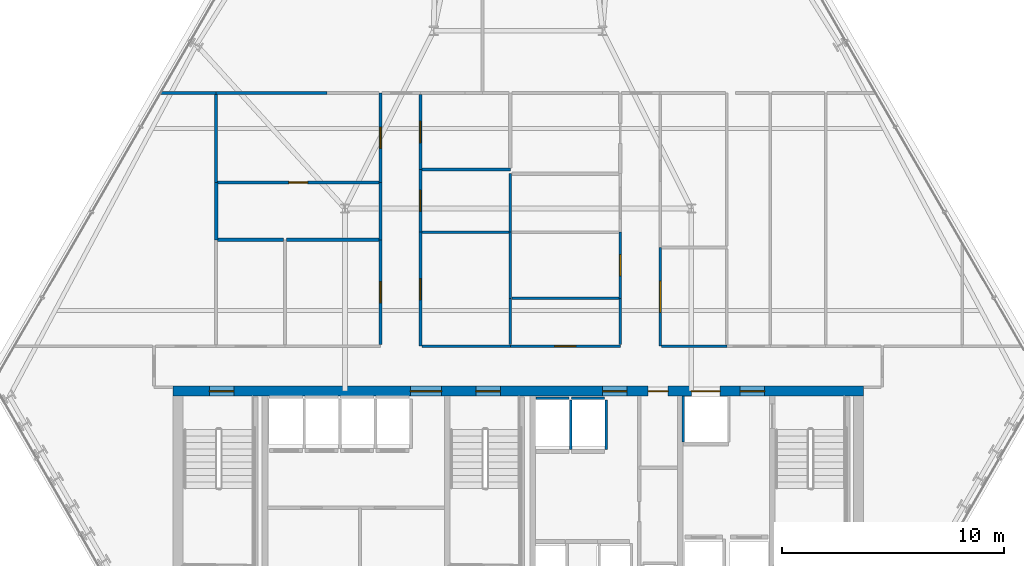
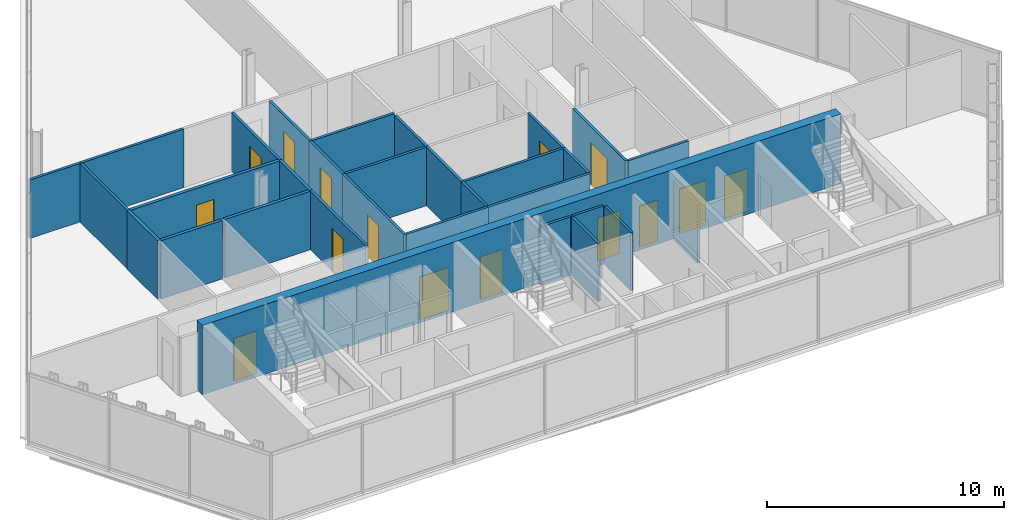
# One storey, part 26 of 31: 31 walls, 16 doors, 16 openings.
"""IFC4 building model written with IfcOpenShell, lengths in metres."""

from ifc_helpers import new_model, si_unit, direction, frame, frame_2d, origin, place, context, subcontext, project, spatial, rectangle, extrude, material, layer, layer_set, type_object, element, fill, save


model = new_model("IFC4")

# Units and contexts
model_context = context("Model", 3, precision=1e-05, world=origin(), true_north=direction((0.0, 1.0)))
body_context = subcontext(model_context, "Body", "Model", "MODEL_VIEW")
ifc_project = project(units=[si_unit("LENGTHUNIT", "METRE"), si_unit("AREAUNIT", "SQUARE_METRE"), si_unit("VOLUMEUNIT", "CUBIC_METRE"), si_unit("PLANEANGLEUNIT", "RADIAN"), si_unit("MASSUNIT", "GRAM", prefix="KILO")], contexts=[model_context])

# Site, building, storey
site_placement = place(None, origin())
site = spatial("IfcSite", under=ifc_project, at=site_placement, CompositionType="ELEMENT")
building_placement = place(site_placement, origin())
building = spatial("IfcBuilding", under=site, at=building_placement, Name="Ndaravel Arena Tower", CompositionType="ELEMENT")
storey_placement = place(building_placement, frame((0.0, 0.0, 138.39990234375)))
storey = spatial("IfcBuildingStorey", under=building, at=storey_placement, Name="L32", CompositionType="ELEMENT", Elevation=138.39990234375)

# Wall, openings, doors
ifc_material_1 = material(Name="Concrete C60/75", Category="concrete")
ifc_layer_1 = layer(ifc_material_1, 0.449951171875)
ifc_layer_set_1 = layer_set([ifc_layer_1], Name="Concrete C60/75")
wall_type_1 = type_object("IfcWallType", Name="WALL-CORE-450", PredefinedType="SOLIDWALL", material=ifc_layer_set_1)
wall_1_placement = place(storey_placement, frame((26.449951171875, 14.97509765625, 0.0), z_axis=(0.0, 0.0, 1.0), x_axis=(1.0, 0.0, 0.0)))
wall_1 = element("IfcWall", 1, at=wall_1_placement, inside=storey, type_object=wall_type_1, Name="L32 Core North Shear Wall", PredefinedType="SOLIDWALL", context=body_context, shape_type="SweptSolid", body=[
    extrude(rectangle(XDim=31.10009765625, YDim=0.449951171875, at=frame_2d((15.550048828125, 0.0))), origin(), (0.0, 0.0, 1.0), 3.580078125),
])
opening_1_placement = place(wall_1_placement, frame((1.64990234375, 0.0, 0.0)))
opening_1 = element("IfcOpeningElement", 2, at=opening_1_placement, cuts=wall_1, Name="Opening FD-01", PredefinedType="OPENING", context=body_context, shape_type="SweptSolid", body=[
    extrude(rectangle(XDim=1.10009765625, YDim=2.199951171875, at=frame_2d((0.550048828125, 1.10009765625))), frame((0.0, 0.22509765625, 0.0), z_axis=(0.0, -1.0, 0.0), x_axis=(1.0, 0.0, 0.0)), (0.0, 0.0, 1.0), 0.449951171875),
])
opening_2_placement = place(wall_1_placement, frame((13.64990234375, 0.0, 0.0)))
opening_2 = element("IfcOpeningElement", 3, at=opening_2_placement, cuts=wall_1, Name="Opening FD-01", PredefinedType="OPENING", context=body_context, shape_type="SweptSolid", body=[
    extrude(rectangle(XDim=1.10009765625, YDim=2.199951171875, at=frame_2d((0.550048828125, 1.10009765625))), frame((0.0, 0.22509765625, 0.0), z_axis=(0.0, -1.0, 0.0), x_axis=(1.0, 0.0, 0.0)), (0.0, 0.0, 1.0), 0.449951171875),
])
opening_3_placement = place(wall_1_placement, frame((25.550048828125, 0.0, 0.0)))
opening_3 = element("IfcOpeningElement", 4, at=opening_3_placement, cuts=wall_1, Name="Opening FD-01", PredefinedType="OPENING", context=body_context, shape_type="SweptSolid", body=[
    extrude(rectangle(XDim=1.10009765625, YDim=2.199951171875, at=frame_2d((0.550048828125, 1.10009765625))), frame((0.0, 0.22509765625, 0.0), z_axis=(0.0, -1.0, 0.0), x_axis=(1.0, 0.0, 0.0)), (0.0, 0.0, 1.0), 0.449951171875),
])
opening_4_placement = place(wall_1_placement, frame((10.699951171875, 0.0, 0.0)))
opening_4 = element("IfcOpeningElement", 5, at=opening_4_placement, cuts=wall_1, Name="Opening ID-02", PredefinedType="OPENING", context=body_context, shape_type="SweptSolid", body=[
    extrude(rectangle(XDim=1.39990234375, YDim=2.199951171875, at=frame_2d((0.699951171875, 1.10009765625))), frame((0.0, 0.22509765625, 0.0), z_axis=(0.0, -1.0, 0.0), x_axis=(1.0, 0.0, 0.0)), (0.0, 0.0, 1.0), 0.449951171875),
])
opening_5_placement = place(wall_1_placement, frame((19.35009765625, 0.0, 0.0)))
opening_5 = element("IfcOpeningElement", 6, at=opening_5_placement, cuts=wall_1, Name="Opening FD-01", PredefinedType="OPENING", context=body_context, shape_type="SweptSolid", body=[
    extrude(rectangle(XDim=1.10009765625, YDim=2.199951171875, at=frame_2d((0.550048828125, 1.10009765625))), frame((0.0, 0.22509765625, 0.0), z_axis=(0.0, -1.0, 0.0), x_axis=(1.0, 0.0, 0.0)), (0.0, 0.0, 1.0), 0.449951171875),
])
opening_6_placement = place(wall_1_placement, frame((21.39990234375, 0.0, 0.0)))
opening_6 = element("IfcOpeningElement", 7, at=opening_6_placement, cuts=wall_1, Name="Opening RD-01", PredefinedType="OPENING", context=body_context, shape_type="SweptSolid", body=[
    extrude(rectangle(XDim=0.89990234375, YDim=2.10009765625, at=frame_2d((0.449951171875, 1.050048828125))), frame((0.0, 0.22509765625, 0.0), z_axis=(0.0, -1.0, 0.0), x_axis=(1.0, 0.0, 0.0)), (0.0, 0.0, 1.0), 0.449951171875),
])
opening_7_placement = place(wall_1_placement, frame((23.35009765625, 0.0, 0.0)))
opening_7 = element("IfcOpeningElement", 8, at=opening_7_placement, cuts=wall_1, Name="Opening LD-02", PredefinedType="OPENING", context=body_context, shape_type="SweptSolid", body=[
    extrude(rectangle(XDim=1.300048828125, YDim=2.300048828125, at=frame_2d((0.64990234375, 1.14990234375))), frame((0.0, 0.22509765625, 0.0), z_axis=(0.0, -1.0, 0.0), x_axis=(1.0, 0.0, 0.0)), (0.0, 0.0, 1.0), 0.449951171875),
])
ifc_material_2 = material(Name="Steel S355", Category="steel")
door_type_1 = type_object("IfcDoorType", Name="DT-01-STAIR-1100", OperationType="SINGLE_SWING_LEFT", PredefinedType="DOOR", material=ifc_material_2)
door_1_placement = place(opening_1_placement, origin())
door_1 = element("IfcDoor", 9, at=door_1_placement, inside=storey, type_object=door_type_1, Name="L32 Exit Stair ST-1 Door", OperationType="SINGLE_SWING_LEFT", OverallHeight=2.199951171875, OverallWidth=1.10009765625, PredefinedType="DOOR", context=body_context, shape_type="SweptSolid", body=[
    extrude(rectangle(XDim=1.10009765625, YDim=2.199951171875, at=frame_2d((0.550048828125, 1.10009765625))), frame((0.0, 0.02490234375, 0.0), z_axis=(0.0, -1.0, 0.0), x_axis=(1.0, 0.0, 0.0)), (0.0, 0.0, 1.0), 0.050048828125),
])
fill(opening_1, door_1)
door_2_placement = place(opening_2_placement, origin())
door_2 = element("IfcDoor", 10, at=door_2_placement, inside=storey, type_object=door_type_1, Name="L32 Exit Stair ST-2 Door", OperationType="SINGLE_SWING_RIGHT", OverallHeight=2.199951171875, OverallWidth=1.10009765625, PredefinedType="DOOR", context=body_context, shape_type="SweptSolid", body=[
    extrude(rectangle(XDim=1.10009765625, YDim=2.199951171875, at=frame_2d((0.550048828125, 1.10009765625))), frame((0.0, 0.02490234375, 0.0), z_axis=(0.0, -1.0, 0.0), x_axis=(1.0, 0.0, 0.0)), (0.0, 0.0, 1.0), 0.050048828125),
])
fill(opening_2, door_2)
door_3_placement = place(opening_3_placement, origin())
door_3 = element("IfcDoor", 11, at=door_3_placement, inside=storey, type_object=door_type_1, Name="L32 Firefighting Lift Lobby Door", OperationType="SINGLE_SWING_RIGHT", OverallHeight=2.199951171875, OverallWidth=1.10009765625, PredefinedType="DOOR", context=body_context, shape_type="SweptSolid", body=[
    extrude(rectangle(XDim=1.10009765625, YDim=2.199951171875, at=frame_2d((0.550048828125, 1.10009765625))), frame((0.0, 0.02490234375, 0.0), z_axis=(0.0, -1.0, 0.0), x_axis=(1.0, 0.0, 0.0)), (0.0, 0.0, 1.0), 0.050048828125),
])
fill(opening_3, door_3)
door_4_placement = place(opening_5_placement, origin())
door_4 = element("IfcDoor", 12, at=door_4_placement, inside=storey, type_object=door_type_1, Name="L32 Express Lift Lobby Entry Door", OperationType="SINGLE_SWING_LEFT", OverallHeight=2.199951171875, OverallWidth=1.10009765625, PredefinedType="DOOR", context=body_context, shape_type="SweptSolid", body=[
    extrude(rectangle(XDim=1.10009765625, YDim=2.199951171875, at=frame_2d((0.550048828125, 1.10009765625))), frame((0.0, 0.02490234375, 0.0), z_axis=(0.0, -1.0, 0.0), x_axis=(1.0, 0.0, 0.0)), (0.0, 0.0, 1.0), 0.050048828125),
])
fill(opening_5, door_4)
ifc_material_3 = material(Name="Timber", Category="wood")
door_type_2 = type_object("IfcDoorType", Name="DT-04-SUITE-1400", OperationType="DOUBLE_DOOR_SINGLE_SWING", PredefinedType="DOOR", material=ifc_material_3)
door_5_placement = place(opening_4_placement, origin())
door_5 = element("IfcDoor", 13, at=door_5_placement, inside=storey, type_object=door_type_2, Name="L32 West Lift Lobby Entry Door", OperationType="DOUBLE_DOOR_SINGLE_SWING", OverallHeight=2.199951171875, OverallWidth=1.39990234375, PredefinedType="DOOR", context=body_context, shape_type="SweptSolid", body=[
    extrude(rectangle(XDim=1.39990234375, YDim=2.199951171875, at=frame_2d((0.699951171875, 1.10009765625))), frame((0.0, 0.02490234375, 0.0), z_axis=(0.0, -1.0, 0.0), x_axis=(1.0, 0.0, 0.0)), (0.0, 0.0, 1.0), 0.050048828125),
])
fill(opening_4, door_5)
ifc_material_4 = material(Name="Steel S355", Category="steel")
door_type_3 = type_object("IfcDoorType", Name="DT-07-SVLIFT-1300", OperationType="DOUBLE_DOOR_SLIDING", PredefinedType="DOOR", material=ifc_material_4)
door_6_placement = place(opening_7_placement, origin())
door_6 = element("IfcDoor", 14, at=door_6_placement, inside=storey, type_object=door_type_3, Name="L32 Lift SVL-1 Sliding Landing Door", OperationType="DOUBLE_DOOR_SLIDING", OverallHeight=2.300048828125, OverallWidth=1.300048828125, PredefinedType="DOOR", context=body_context, shape_type="SweptSolid", body=[
    extrude(rectangle(XDim=1.300048828125, YDim=2.300048828125, at=frame_2d((0.64990234375, 1.14990234375))), frame((0.0, 0.02490234375, 0.0), z_axis=(0.0, -1.0, 0.0), x_axis=(1.0, 0.0, 0.0)), (0.0, 0.0, 1.0), 0.050048828125),
])
fill(opening_7, door_6)
ifc_material_5 = material(Name="Steel S355", Category="steel")
door_type_4 = type_object("IfcDoorType", Name="DT-08-RISER-900", OperationType="SINGLE_SWING_LEFT", PredefinedType="DOOR", material=ifc_material_5)
door_7_placement = place(opening_6_placement, origin())
door_7 = element("IfcDoor", 15, at=door_7_placement, inside=storey, type_object=door_type_4, Name="L32 Core Service Riser North Door", OperationType="SINGLE_SWING_LEFT", OverallHeight=2.10009765625, OverallWidth=0.89990234375, PredefinedType="DOOR", context=body_context, shape_type="SweptSolid", body=[
    extrude(rectangle(XDim=0.89990234375, YDim=2.10009765625, at=frame_2d((0.449951171875, 1.050048828125))), frame((0.0, 0.02490234375, 0.0), z_axis=(0.0, -1.0, 0.0), x_axis=(1.0, 0.0, 0.0)), (0.0, 0.0, 1.0), 0.050048828125),
])
fill(opening_6, door_7)

# Wall, opening, door
ifc_material_6 = material(Name="Gypsum", Category="gypsum")
ifc_layer_2 = layer(ifc_material_6, 0.125)
ifc_layer_set_2 = layer_set([ifc_layer_2], Name="Gypsum")
wall_type_2 = type_object("IfcWallType", Name="WALL-PART-125", PredefinedType="PARTITIONING", material=ifc_layer_set_2)
wall_2_placement = place(storey_placement, frame((35.800048828125, 17.06494140625, 0.0), z_axis=(0.0, 0.0, 1.0), x_axis=(0.0, 1.0, 0.0)))
wall_2 = element("IfcWall", 16, at=wall_2_placement, inside=storey, type_object=wall_type_2, Name="L32 Interior Partition 008", PredefinedType="PARTITIONING", context=body_context, shape_type="SweptSolid", body=[
    extrude(rectangle(XDim=4.72314453125, YDim=0.125, at=frame_2d((2.361572265625, 0.0))), origin(), (0.0, 0.0, 1.0), 3.010498046875),
])
opening_8_placement = place(wall_2_placement, frame((1.886474609375, 0.0, 0.0)))
opening_8 = element("IfcOpeningElement", 17, at=opening_8_placement, cuts=wall_2, Name="Opening ID-01", PredefinedType="OPENING", context=body_context, shape_type="SweptSolid", body=[
    extrude(rectangle(XDim=0.949951171875, YDim=2.199951171875, at=frame_2d((0.47509765625, 1.10009765625))), frame((0.0, 0.0625, 0.0), z_axis=(0.0, -1.0, 0.0), x_axis=(1.0, 0.0, 0.0)), (0.0, 0.0, 1.0), 0.125),
])
ifc_material_7 = material(Name="Timber", Category="wood")
door_type_5 = type_object("IfcDoorType", Name="DT-03-OFFICE-950", OperationType="SINGLE_SWING_LEFT", PredefinedType="DOOR", material=ifc_material_7)
door_8_placement = place(opening_8_placement, origin())
door_8 = element("IfcDoor", 18, at=door_8_placement, inside=storey, type_object=door_type_5, Name="L32 Project Seminar Room 3 Door", OperationType="SINGLE_SWING_RIGHT", OverallHeight=2.199951171875, OverallWidth=0.949951171875, PredefinedType="DOOR", context=body_context, shape_type="SweptSolid", body=[
    extrude(rectangle(XDim=0.949951171875, YDim=2.199951171875, at=frame_2d((0.47509765625, 1.10009765625))), frame((0.0, 0.02490234375, 0.0), z_axis=(0.0, -1.0, 0.0), x_axis=(1.0, 0.0, 0.0)), (0.0, 0.0, 1.0), 0.050048828125),
])
fill(opening_8, door_8)

wall_3_placement = place(storey_placement, frame((35.800048828125, 24.36669921875, 0.0), z_axis=(0.0, 0.0, 1.0), x_axis=(0.0, 1.0, 0.0)))
wall_3 = element("IfcWall", 19, at=wall_3_placement, inside=storey, type_object=wall_type_2, Name="L32 Interior Partition 010", PredefinedType="PARTITIONING", context=body_context, shape_type="SweptSolid", body=[
    extrude(rectangle(XDim=4.033203125, YDim=0.125, at=frame_2d((2.0166015625, 0.0))), origin(), (0.0, 0.0, 1.0), 3.010498046875),
])
opening_9_placement = place(wall_3_placement, frame((1.54150390625, 0.0, 0.0)))
opening_9 = element("IfcOpeningElement", 20, at=opening_9_placement, cuts=wall_3, Name="Opening ID-01", PredefinedType="OPENING", context=body_context, shape_type="SweptSolid", body=[
    extrude(rectangle(XDim=0.949951171875, YDim=2.199951171875, at=frame_2d((0.47509765625, 1.10009765625))), frame((0.0, 0.0625, 0.0), z_axis=(0.0, -1.0, 0.0), x_axis=(1.0, 0.0, 0.0)), (0.0, 0.0, 1.0), 0.125),
])
door_9_placement = place(opening_9_placement, origin())
door_9 = element("IfcDoor", 21, at=door_9_placement, inside=storey, type_object=door_type_5, Name="L32 Media Cinema Room 7 Door", OperationType="SINGLE_SWING_LEFT", OverallHeight=2.199951171875, OverallWidth=0.949951171875, PredefinedType="DOOR", context=body_context, shape_type="SweptSolid", body=[
    extrude(rectangle(XDim=0.949951171875, YDim=2.199951171875, at=frame_2d((0.47509765625, 1.10009765625))), frame((0.0, 0.02490234375, 0.0), z_axis=(0.0, -1.0, 0.0), x_axis=(1.0, 0.0, 0.0)), (0.0, 0.0, 1.0), 0.050048828125),
])
fill(opening_9, door_9)

wall_4_placement = place(storey_placement, frame((37.60009765625, 28.3349609375, 0.0), z_axis=(0.0, 0.0, 1.0), x_axis=(0.0, -1.0, 0.0)))
wall_4 = element("IfcWall", 22, at=wall_4_placement, inside=storey, type_object=wall_type_2, Name="L32 Interior Partition 012", PredefinedType="PARTITIONING", context=body_context, shape_type="SweptSolid", body=[
    extrude(rectangle(XDim=3.383544921875, YDim=0.125, at=frame_2d((1.69189453125, 0.0))), origin(), (0.0, 0.0, 1.0), 3.010498046875),
])
opening_10_placement = place(wall_4_placement, frame((1.216796875, 0.0, 0.0)))
opening_10 = element("IfcOpeningElement", 23, at=opening_10_placement, cuts=wall_4, Name="Opening ID-01", PredefinedType="OPENING", context=body_context, shape_type="SweptSolid", body=[
    extrude(rectangle(XDim=0.949951171875, YDim=2.199951171875, at=frame_2d((0.47509765625, 1.10009765625))), frame((0.0, 0.0625, 0.0), z_axis=(0.0, -1.0, 0.0), x_axis=(1.0, 0.0, 0.0)), (0.0, 0.0, 1.0), 0.125),
])
door_10_placement = place(opening_10_placement, origin())
door_10 = element("IfcDoor", 24, at=door_10_placement, inside=storey, type_object=door_type_5, Name="L32 Training Classroom 8 Door", OperationType="SINGLE_SWING_LEFT", OverallHeight=2.199951171875, OverallWidth=0.949951171875, PredefinedType="DOOR", context=body_context, shape_type="SweptSolid", body=[
    extrude(rectangle(XDim=0.949951171875, YDim=2.199951171875, at=frame_2d((0.47509765625, 1.10009765625))), frame((0.0, 0.02490234375, 0.0), z_axis=(0.0, -1.0, 0.0), x_axis=(1.0, 0.0, 0.0)), (0.0, 0.0, 1.0), 0.050048828125),
])
fill(opening_10, door_10)

wall_5_placement = place(storey_placement, frame((37.60009765625, 24.951416015625, 0.0), z_axis=(0.0, 0.0, 1.0), x_axis=(0.0, -1.0, 0.0)))
wall_5 = element("IfcWall", 25, at=wall_5_placement, inside=storey, type_object=wall_type_2, Name="L32 Interior Partition 013", PredefinedType="PARTITIONING", context=body_context, shape_type="SweptSolid", body=[
    extrude(rectangle(XDim=2.821533203125, YDim=0.125, at=frame_2d((1.41064453125, 0.0))), origin(), (0.0, 0.0, 1.0), 3.010498046875),
])
opening_11_placement = place(wall_5_placement, frame((0.935791015625, 0.0, 0.0)))
opening_11 = element("IfcOpeningElement", 26, at=opening_11_placement, cuts=wall_5, Name="Opening ID-01", PredefinedType="OPENING", context=body_context, shape_type="SweptSolid", body=[
    extrude(rectangle(XDim=0.949951171875, YDim=2.199951171875, at=frame_2d((0.47509765625, 1.10009765625))), frame((0.0, 0.0625, 0.0), z_axis=(0.0, -1.0, 0.0), x_axis=(1.0, 0.0, 0.0)), (0.0, 0.0, 1.0), 0.125),
])
door_11_placement = place(opening_11_placement, origin())
door_11 = element("IfcDoor", 27, at=door_11_placement, inside=storey, type_object=door_type_5, Name="L32 Wellness Fitness Gym 6 Door", OperationType="SINGLE_SWING_LEFT", OverallHeight=2.199951171875, OverallWidth=0.949951171875, PredefinedType="DOOR", context=body_context, shape_type="SweptSolid", body=[
    extrude(rectangle(XDim=0.949951171875, YDim=2.199951171875, at=frame_2d((0.47509765625, 1.10009765625))), frame((0.0, 0.02490234375, 0.0), z_axis=(0.0, -1.0, 0.0), x_axis=(1.0, 0.0, 0.0)), (0.0, 0.0, 1.0), 0.050048828125),
])
fill(opening_11, door_11)

wall_6_placement = place(storey_placement, frame((37.60009765625, 22.1298828125, 0.0), z_axis=(0.0, 0.0, 1.0), x_axis=(0.0, -1.0, 0.0)))
wall_6 = element("IfcWall", 28, at=wall_6_placement, inside=storey, type_object=wall_type_2, Name="L32 Interior Partition 014", PredefinedType="PARTITIONING", context=body_context, shape_type="SweptSolid", body=[
    extrude(rectangle(XDim=5.1298828125, YDim=0.125, at=frame_2d((2.56494140625, 0.0))), origin(), (0.0, 0.0, 1.0), 3.010498046875),
])
opening_12_placement = place(wall_6_placement, frame((2.090087890625, 0.0, 0.0)))
opening_12 = element("IfcOpeningElement", 29, at=opening_12_placement, cuts=wall_6, Name="Opening ID-01", PredefinedType="OPENING", context=body_context, shape_type="SweptSolid", body=[
    extrude(rectangle(XDim=0.949951171875, YDim=2.199951171875, at=frame_2d((0.47509765625, 1.10009765625))), frame((0.0, 0.0625, 0.0), z_axis=(0.0, -1.0, 0.0), x_axis=(1.0, 0.0, 0.0)), (0.0, 0.0, 1.0), 0.125),
])
door_12_placement = place(opening_12_placement, origin())
door_12 = element("IfcDoor", 30, at=door_12_placement, inside=storey, type_object=door_type_5, Name="L32 Wellness Fitness Gym 2 Door", OperationType="SINGLE_SWING_LEFT", OverallHeight=2.199951171875, OverallWidth=0.949951171875, PredefinedType="DOOR", context=body_context, shape_type="SweptSolid", body=[
    extrude(rectangle(XDim=0.949951171875, YDim=2.199951171875, at=frame_2d((0.47509765625, 1.10009765625))), frame((0.0, 0.02490234375, 0.0), z_axis=(0.0, -1.0, 0.0), x_axis=(1.0, 0.0, 0.0)), (0.0, 0.0, 1.0), 0.050048828125),
])
fill(opening_12, door_12)

# Wall
wall_7_placement = place(storey_placement, frame((37.6650390625, 17.0, 0.0), z_axis=(0.0, 0.0, 1.0), x_axis=(1.0, 0.0, 0.0)))
element("IfcWall", 31, at=wall_7_placement, inside=storey, type_object=wall_type_2, Name="L32 Interior Partition 015", PredefinedType="PARTITIONING", context=body_context, shape_type="SweptSolid", body=[
    extrude(rectangle(XDim=3.98486328125, YDim=0.125, at=frame_2d((1.992431640625, 0.0))), origin(), (0.0, 0.0, 1.0), 3.010498046875),
])

# Wall, opening, door
wall_8_placement = place(storey_placement, frame((41.64990234375, 17.0, 0.0), z_axis=(0.0, 0.0, 1.0), x_axis=(1.0, 0.0, 0.0)))
wall_8 = element("IfcWall", 32, at=wall_8_placement, inside=storey, type_object=wall_type_2, Name="L32 Interior Partition 016", PredefinedType="PARTITIONING", context=body_context, shape_type="SweptSolid", body=[
    extrude(rectangle(XDim=4.9501953125, YDim=0.125, at=frame_2d((2.47509765625, 0.0))), origin(), (0.0, 0.0, 1.0), 3.010498046875),
])
opening_13_placement = place(wall_8_placement, frame((2.0, 0.0, 0.0)))
opening_13 = element("IfcOpeningElement", 33, at=opening_13_placement, cuts=wall_8, Name="Opening ID-01", PredefinedType="OPENING", context=body_context, shape_type="SweptSolid", body=[
    extrude(rectangle(XDim=0.949951171875, YDim=2.199951171875, at=frame_2d((0.47509765625, 1.10009765625))), frame((0.0, 0.0625, 0.0), z_axis=(0.0, -1.0, 0.0), x_axis=(1.0, 0.0, 0.0)), (0.0, 0.0, 1.0), 0.125),
])
door_13_placement = place(opening_13_placement, origin())
door_13 = element("IfcDoor", 34, at=door_13_placement, inside=storey, type_object=door_type_5, Name="L32 Design Bookshop Boutique Door", OperationType="SINGLE_SWING_LEFT", OverallHeight=2.199951171875, OverallWidth=0.949951171875, PredefinedType="DOOR", context=body_context, shape_type="SweptSolid", body=[
    extrude(rectangle(XDim=0.949951171875, YDim=2.199951171875, at=frame_2d((0.47509765625, 1.10009765625))), frame((0.0, 0.02490234375, 0.0), z_axis=(0.0, -1.0, 0.0), x_axis=(1.0, 0.0, 0.0)), (0.0, 0.0, 1.0), 0.050048828125),
])
fill(opening_13, door_13)

# Wall
wall_9_placement = place(storey_placement, frame((46.60009765625, 17.06494140625, 0.0), z_axis=(0.0, 0.0, 1.0), x_axis=(0.0, 1.0, 0.0)))
element("IfcWall", 35, at=wall_9_placement, inside=storey, type_object=wall_type_2, Name="L32 Interior Partition 017", PredefinedType="PARTITIONING", context=body_context, shape_type="SweptSolid", body=[
    extrude(rectangle(XDim=2.089599609375, YDim=0.125, at=frame_2d((1.044921875, 0.0))), origin(), (0.0, 0.0, 1.0), 3.010498046875),
])

# Wall, opening, door
wall_10_placement = place(storey_placement, frame((46.60009765625, 19.154541015625, 0.0), z_axis=(0.0, 0.0, 1.0), x_axis=(0.0, 1.0, 0.0)))
wall_10 = element("IfcWall", 36, at=wall_10_placement, inside=storey, type_object=wall_type_2, Name="L32 Interior Partition 018", PredefinedType="PARTITIONING", context=body_context, shape_type="SweptSolid", body=[
    extrude(rectangle(XDim=2.975341796875, YDim=0.125, at=frame_2d((1.48779296875, 0.0))), origin(), (0.0, 0.0, 1.0), 3.010498046875),
])
opening_14_placement = place(wall_10_placement, frame((1.0126953125, 0.0, 0.0)))
opening_14 = element("IfcOpeningElement", 37, at=opening_14_placement, cuts=wall_10, Name="Opening ID-01", PredefinedType="OPENING", context=body_context, shape_type="SweptSolid", body=[
    extrude(rectangle(XDim=0.949951171875, YDim=2.199951171875, at=frame_2d((0.47509765625, 1.10009765625))), frame((0.0, 0.0625, 0.0), z_axis=(0.0, -1.0, 0.0), x_axis=(1.0, 0.0, 0.0)), (0.0, 0.0, 1.0), 0.125),
])
door_14_placement = place(opening_14_placement, origin())
door_14 = element("IfcDoor", 38, at=door_14_placement, inside=storey, type_object=door_type_5, Name="L32 Media Cinema Room 3 Door", OperationType="SINGLE_SWING_RIGHT", OverallHeight=2.199951171875, OverallWidth=0.949951171875, PredefinedType="DOOR", context=body_context, shape_type="SweptSolid", body=[
    extrude(rectangle(XDim=0.949951171875, YDim=2.199951171875, at=frame_2d((0.47509765625, 1.10009765625))), frame((0.0, 0.02490234375, 0.0), z_axis=(0.0, -1.0, 0.0), x_axis=(1.0, 0.0, 0.0)), (0.0, 0.0, 1.0), 0.050048828125),
])
fill(opening_14, door_14)

wall_11_placement = place(storey_placement, frame((48.39990234375, 21.446044921875, 0.0), z_axis=(0.0, 0.0, 1.0), x_axis=(0.0, -1.0, 0.0)))
wall_11 = element("IfcWall", 39, at=wall_11_placement, inside=storey, type_object=wall_type_2, Name="L32 Interior Partition 023", PredefinedType="PARTITIONING", context=body_context, shape_type="SweptSolid", body=[
    extrude(rectangle(XDim=4.446044921875, YDim=0.125, at=frame_2d((2.22314453125, 0.0))), origin(), (0.0, 0.0, 1.0), 3.010498046875),
])
opening_15_placement = place(wall_11_placement, frame((1.52294921875, 0.0, 0.0)))
opening_15 = element("IfcOpeningElement", 40, at=opening_15_placement, cuts=wall_11, Name="Opening ID-02", PredefinedType="OPENING", context=body_context, shape_type="SweptSolid", body=[
    extrude(rectangle(XDim=1.39990234375, YDim=2.199951171875, at=frame_2d((0.699951171875, 1.10009765625))), frame((0.0, 0.0625, 0.0), z_axis=(0.0, -1.0, 0.0), x_axis=(1.0, 0.0, 0.0)), (0.0, 0.0, 1.0), 0.125),
])
door_15_placement = place(opening_15_placement, origin())
door_15 = element("IfcDoor", 41, at=door_15_placement, inside=storey, type_object=door_type_2, Name="L32 Collaborative Lounge Door", OperationType="SINGLE_SWING_RIGHT", OverallHeight=2.199951171875, OverallWidth=1.39990234375, PredefinedType="DOOR", context=body_context, shape_type="SweptSolid", body=[
    extrude(rectangle(XDim=1.39990234375, YDim=2.199951171875, at=frame_2d((0.699951171875, 1.10009765625))), frame((0.0, 0.02490234375, 0.0), z_axis=(0.0, -1.0, 0.0), x_axis=(1.0, 0.0, 0.0)), (0.0, 0.0, 1.0), 0.050048828125),
])
fill(opening_15, door_15)

# Walls
wall_12_placement = place(storey_placement, frame((48.465087890625, 17.0, 0.0), z_axis=(0.0, 0.0, 1.0), x_axis=(1.0, 0.0, 0.0)))
element("IfcWall", 42, at=wall_12_placement, inside=storey, type_object=wall_type_2, Name="L32 Interior Partition 024", PredefinedType="PARTITIONING", context=body_context, shape_type="SweptSolid", body=[
    extrude(rectangle(XDim=2.934814453125, YDim=0.125, at=frame_2d((1.46728515625, 0.0))), origin(), (0.0, 0.0, 1.0), 3.010498046875),
])
wall_13_placement = place(storey_placement, frame((41.64990234375, 17.06494140625, 0.0), z_axis=(0.0, 0.0, 1.0), x_axis=(0.0, 1.0, 0.0)))
element("IfcWall", 43, at=wall_13_placement, inside=storey, type_object=wall_type_2, Name="L32 Interior Partition 032", PredefinedType="PARTITIONING", context=body_context, shape_type="SweptSolid", body=[
    extrude(rectangle(XDim=2.089599609375, YDim=0.125, at=frame_2d((1.044921875, 0.0))), origin(), (0.0, 0.0, 1.0), 3.010498046875),
])
wall_14_placement = place(storey_placement, frame((41.715087890625, 19.154541015625, 0.0), z_axis=(0.0, 0.0, 1.0), x_axis=(1.0, 0.0, 0.0)))
element("IfcWall", 44, at=wall_14_placement, inside=storey, type_object=wall_type_2, Name="L32 Interior Partition 033", PredefinedType="PARTITIONING", context=body_context, shape_type="SweptSolid", body=[
    extrude(rectangle(XDim=4.81982421875, YDim=0.125, at=frame_2d((2.409912109375, 0.0))), origin(), (0.0, 0.0, 1.0), 3.010498046875),
])
wall_15_placement = place(storey_placement, frame((41.64990234375, 22.1298828125, 0.0), z_axis=(0.0, 0.0, 1.0), x_axis=(0.0, -1.0, 0.0)))
element("IfcWall", 45, at=wall_15_placement, inside=storey, type_object=wall_type_2, Name="L32 Interior Partition 040", PredefinedType="PARTITIONING", context=body_context, shape_type="SweptSolid", body=[
    extrude(rectangle(XDim=2.975341796875, YDim=0.125, at=frame_2d((1.48779296875, 0.0))), origin(), (0.0, 0.0, 1.0), 3.010498046875),
])
wall_16_placement = place(storey_placement, frame((37.6650390625, 22.1298828125, 0.0), z_axis=(0.0, 0.0, 1.0), x_axis=(1.0, 0.0, 0.0)))
element("IfcWall", 46, at=wall_16_placement, inside=storey, type_object=wall_type_2, Name="L32 Interior Partition 041", PredefinedType="PARTITIONING", context=body_context, shape_type="SweptSolid", body=[
    extrude(rectangle(XDim=3.919921875, YDim=0.125, at=frame_2d((1.9599609375, 0.0))), origin(), (0.0, 0.0, 1.0), 3.010498046875),
])
wall_17_placement = place(storey_placement, frame((25.898681640625, 28.39990234375, 0.0), z_axis=(0.0, 0.0, 1.0), x_axis=(1.0, 0.0, 0.0)))
element("IfcWall", 47, at=wall_17_placement, inside=storey, type_object=wall_type_2, Name="L32 Interior Partition 043", PredefinedType="PARTITIONING", context=body_context, shape_type="SweptSolid", body=[
    extrude(rectangle(XDim=2.501220703125, YDim=0.125, at=frame_2d((1.25048828125, 0.0))), origin(), (0.0, 0.0, 1.0), 3.010498046875),
])
wall_18_placement = place(storey_placement, frame((28.39990234375, 28.3349609375, 0.0), z_axis=(0.0, 0.0, 1.0), x_axis=(0.0, -1.0, 0.0)))
element("IfcWall", 48, at=wall_18_placement, inside=storey, type_object=wall_type_2, Name="L32 Interior Partition 044", PredefinedType="PARTITIONING", context=body_context, shape_type="SweptSolid", body=[
    extrude(rectangle(XDim=3.96826171875, YDim=0.125, at=frame_2d((1.984130859375, 0.0))), origin(), (0.0, 0.0, 1.0), 3.010498046875),
])
wall_19_placement = place(storey_placement, frame((41.64990234375, 22.1298828125, 0.0), z_axis=(0.0, 0.0, 1.0), x_axis=(0.0, 1.0, 0.0)))
element("IfcWall", 49, at=wall_19_placement, inside=storey, type_object=wall_type_2, Name="L32 Interior Partition 055", PredefinedType="PARTITIONING", context=body_context, shape_type="SweptSolid", body=[
    extrude(rectangle(XDim=2.633544921875, YDim=0.125, at=frame_2d((1.31689453125, 0.0))), origin(), (0.0, 0.0, 1.0), 3.010498046875),
])
wall_20_placement = place(storey_placement, frame((37.6650390625, 24.951416015625, 0.0), z_axis=(0.0, 0.0, 1.0), x_axis=(1.0, 0.0, 0.0)))
element("IfcWall", 50, at=wall_20_placement, inside=storey, type_object=wall_type_2, Name="L32 Interior Partition 057", PredefinedType="PARTITIONING", context=body_context, shape_type="SweptSolid", body=[
    extrude(rectangle(XDim=3.98486328125, YDim=0.125, at=frame_2d((1.992431640625, 0.0))), origin(), (0.0, 0.0, 1.0), 3.010498046875),
])
wall_21_placement = place(storey_placement, frame((28.39990234375, 28.39990234375, 0.0), z_axis=(0.0, 0.0, 1.0), x_axis=(1.0, 0.0, 0.0)))
element("IfcWall", 51, at=wall_21_placement, inside=storey, type_object=wall_type_2, Name="L32 Interior Partition 059", PredefinedType="PARTITIONING", context=body_context, shape_type="SweptSolid", body=[
    extrude(rectangle(XDim=5.0, YDim=0.125, at=frame_2d((2.5, 0.0))), origin(), (0.0, 0.0, 1.0), 3.010498046875),
])
ifc_material_8 = material(Name="Concrete C40/50", Category="concrete")
ifc_layer_3 = layer(ifc_material_8, 0.1201171875)
ifc_layer_set_3 = layer_set([ifc_layer_3], Name="Concrete C40/50")
wall_type_3 = type_object("IfcWallType", Name="WALL-SHAFT-120", PredefinedType="SOLIDWALL", material=ifc_layer_set_3)
wall_22_placement = place(storey_placement, frame((42.804931640625, 14.659912109375, 0.0), z_axis=(0.0, 0.0, 1.0), x_axis=(1.0, 0.0, 0.0)))
element("IfcWall", 52, at=wall_22_placement, inside=storey, type_object=wall_type_3, Name="L32 PL-OBS1 Shaft Rear Wall", PredefinedType="SOLIDWALL", context=body_context, shape_type="SweptSolid", body=[
    extrude(rectangle(XDim=1.489990234375, YDim=0.1201171875, at=frame_2d((0.7451171875, 0.0))), origin(), (0.0, 0.0, 1.0), 3.010498046875),
])
wall_23_placement = place(storey_placement, frame((44.375, 12.340087890625, 0.0), z_axis=(0.0, 0.0, 1.0), x_axis=(0.0, 1.0, 0.0)))
element("IfcWall", 53, at=wall_23_placement, inside=storey, type_object=wall_type_3, Name="L32 PL-OBS1 Shaft Side R Wall", PredefinedType="SOLIDWALL", context=body_context, shape_type="SweptSolid", body=[
    extrude(rectangle(XDim=2.22998046875, YDim=0.1201171875, at=frame_2d((1.114990234375, 0.0))), origin(), (0.0, 0.0, 1.0), 3.010498046875),
])
wall_24_placement = place(storey_placement, frame((44.405029296875, 14.659912109375, 0.0), z_axis=(0.0, 0.0, 1.0), x_axis=(1.0, 0.0, 0.0)))
element("IfcWall", 54, at=wall_24_placement, inside=storey, type_object=wall_type_3, Name="L32 PL-OBS2 Shaft Rear Wall", PredefinedType="SOLIDWALL", context=body_context, shape_type="SweptSolid", body=[
    extrude(rectangle(XDim=1.489990234375, YDim=0.1201171875, at=frame_2d((0.7451171875, 0.0))), origin(), (0.0, 0.0, 1.0), 3.010498046875),
])
wall_25_placement = place(storey_placement, frame((45.97509765625, 12.340087890625, 0.0), z_axis=(0.0, 0.0, 1.0), x_axis=(0.0, 1.0, 0.0)))
element("IfcWall", 55, at=wall_25_placement, inside=storey, type_object=wall_type_3, Name="L32 PL-OBS2 Shaft Side R Wall", PredefinedType="SOLIDWALL", context=body_context, shape_type="SweptSolid", body=[
    extrude(rectangle(XDim=2.22998046875, YDim=0.1201171875, at=frame_2d((1.114990234375, 0.0))), origin(), (0.0, 0.0, 1.0), 3.010498046875),
])
wall_26_placement = place(storey_placement, frame((49.43994140625, 12.68994140625, 0.0), z_axis=(0.0, 0.0, 1.0), x_axis=(0.0, 1.0, 0.0)))
element("IfcWall", 56, at=wall_26_placement, inside=storey, type_object=wall_type_3, Name="L32 SVL-1 Shaft W Wall", PredefinedType="SOLIDWALL", context=body_context, shape_type="SweptSolid", body=[
    extrude(rectangle(XDim=2.070068359375, YDim=0.1201171875, at=frame_2d((1.03515625, 0.0))), origin(), (0.0, 0.0, 1.0), 3.010498046875),
])
ifc_material_9 = material(Name="Masonry", Category="masonry")
ifc_layer_4 = layer(ifc_material_9, 0.14990234375)
ifc_layer_set_4 = layer_set([ifc_layer_4], Name="Masonry")
wall_type_4 = type_object("IfcWallType", Name="WALL-WET-150", PredefinedType="PARTITIONING", material=ifc_layer_set_4)
wall_27_placement = place(storey_placement, frame((35.800048828125, 21.7880859375, 0.0), z_axis=(0.0, 0.0, 1.0), x_axis=(0.0, 1.0, 0.0)))
element("IfcWall", 57, at=wall_27_placement, inside=storey, type_object=wall_type_4, Name="L32 Interior Partition 009", PredefinedType="PARTITIONING", context=body_context, shape_type="SweptSolid", body=[
    extrude(rectangle(XDim=2.57861328125, YDim=0.14990234375, at=frame_2d((1.289306640625, 0.0))), origin(), (0.0, 0.0, 1.0), 3.010498046875),
])
wall_28_placement = place(storey_placement, frame((28.465087890625, 21.7880859375, 0.0), z_axis=(0.0, 0.0, 1.0), x_axis=(1.0, 0.0, 0.0)))
element("IfcWall", 58, at=wall_28_placement, inside=storey, type_object=wall_type_4, Name="L32 Interior Partition 038", PredefinedType="PARTITIONING", context=body_context, shape_type="SweptSolid", body=[
    extrude(rectangle(XDim=2.97802734375, YDim=0.14990234375, at=frame_2d((1.489013671875, 0.0))), origin(), (0.0, 0.0, 1.0), 3.010498046875),
])
wall_29_placement = place(storey_placement, frame((31.572998046875, 21.7880859375, 0.0), z_axis=(0.0, 0.0, 1.0), x_axis=(1.0, 0.0, 0.0)))
element("IfcWall", 59, at=wall_29_placement, inside=storey, type_object=wall_type_4, Name="L32 Interior Partition 039", PredefinedType="PARTITIONING", context=body_context, shape_type="SweptSolid", body=[
    extrude(rectangle(XDim=4.162109375, YDim=0.14990234375, at=frame_2d((2.0810546875, 0.0))), origin(), (0.0, 0.0, 1.0), 3.010498046875),
])
wall_30_placement = place(storey_placement, frame((28.39990234375, 24.36669921875, 0.0), z_axis=(0.0, 0.0, 1.0), x_axis=(0.0, -1.0, 0.0)))
element("IfcWall", 60, at=wall_30_placement, inside=storey, type_object=wall_type_4, Name="L32 Interior Partition 045", PredefinedType="PARTITIONING", context=body_context, shape_type="SweptSolid", body=[
    extrude(rectangle(XDim=2.57861328125, YDim=0.14990234375, at=frame_2d((1.289306640625, 0.0))), origin(), (0.0, 0.0, 1.0), 3.010498046875),
])

# Wall, opening, door
wall_31_placement = place(storey_placement, frame((28.465087890625, 24.36669921875, 0.0), z_axis=(0.0, 0.0, 1.0), x_axis=(1.0, 0.0, 0.0)))
wall_31 = element("IfcWall", 61, at=wall_31_placement, inside=storey, type_object=wall_type_4, Name="L32 Interior Partition 054", PredefinedType="PARTITIONING", context=body_context, shape_type="SweptSolid", body=[
    extrude(rectangle(XDim=7.27001953125, YDim=0.14990234375, at=frame_2d((3.635009765625, 0.0))), origin(), (0.0, 0.0, 1.0), 3.010498046875),
])
opening_16_placement = place(wall_31_placement, frame((3.2099609375, 0.0, 0.0)))
opening_16 = element("IfcOpeningElement", 62, at=opening_16_placement, cuts=wall_31, Name="Opening ID-03", PredefinedType="OPENING", context=body_context, shape_type="SweptSolid", body=[
    extrude(rectangle(XDim=0.85009765625, YDim=2.14990234375, at=frame_2d((0.425048828125, 1.074951171875))), frame((0.0, 0.074951171875, 0.0), z_axis=(0.0, -1.0, 0.0), x_axis=(1.0, 0.0, 0.0)), (0.0, 0.0, 1.0), 0.14990234375),
])
ifc_material_10 = material(Name="Timber", Category="wood")
door_type_6 = type_object("IfcDoorType", Name="DT-12-SUB-850", OperationType="SINGLE_SWING_LEFT", PredefinedType="DOOR", material=ifc_material_10)
door_16_placement = place(opening_16_placement, origin())
door_16 = element("IfcDoor", 63, at=door_16_placement, inside=storey, type_object=door_type_6, Name="L32 Male Staff & Visitor Restroom Door", OperationType="SINGLE_SWING_LEFT", OverallHeight=2.14990234375, OverallWidth=0.85009765625, PredefinedType="DOOR", context=body_context, shape_type="SweptSolid", body=[
    extrude(rectangle(XDim=0.85009765625, YDim=2.14990234375, at=frame_2d((0.425048828125, 1.074951171875))), frame((0.0, 0.02490234375, 0.0), z_axis=(0.0, -1.0, 0.0), x_axis=(1.0, 0.0, 0.0)), (0.0, 0.0, 1.0), 0.050048828125),
])
fill(opening_16, door_16)

save(model, "model.ifc")
